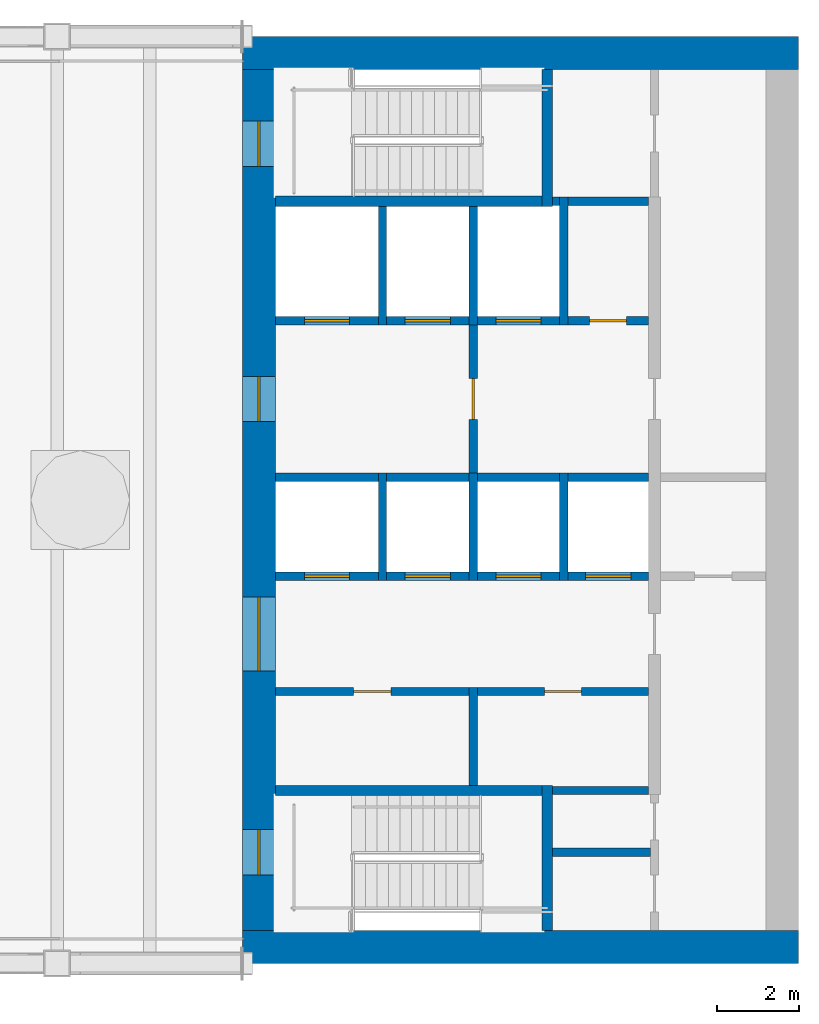
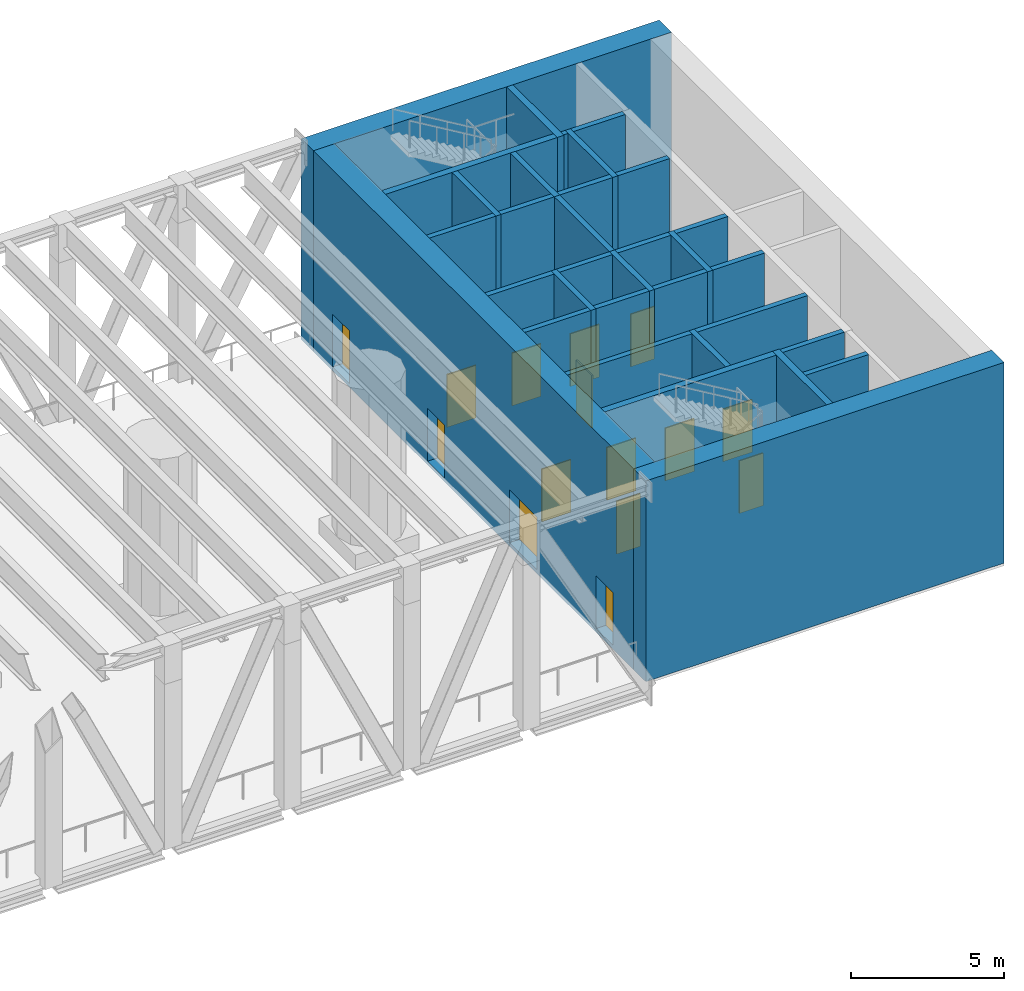
# One storey, part 4 of 11: 33 walls, 15 doors, 15 openings.
"""IFC4 building model written with IfcOpenShell, lengths in metres."""

import ifcopenshell
import ifcopenshell.guid

model = None  # the IFC model being written
_history = None  # IfcOwnerHistory: only IFC2X3 demands one
_inside = {}  # id of a spatial element -> (the spatial element, [elements in it])
_under = {}  # id of a project, library or spatial element -> (it, [spatial elements below it])
_declared = {}  # id of a project -> (the project, [libraries it declares])
_typed = {}  # id of a type object -> (the type object, [elements of that type])
_made_of = {}  # id of a material, layer set ... -> (it, [elements and type objects made of it])


def new_model(schema):
    """Start an empty IFC model of exactly this schema.

    Asked for "IFC4X3", IfcOpenShell would pick the latest addendum, in which some entities
    have other attributes; the version numbers below select the first issue.
    IFC2X3 requires an IfcOwnerHistory on every rooted entity: one is made here for all.
    """
    global model, _history
    if schema == "IFC4X3":
        model = ifcopenshell.file(schema_version=(4, 3, 0, 0))
    else:
        model = ifcopenshell.file(schema=schema)
    _inside.clear()
    _under.clear()
    _declared.clear()
    _typed.clear()
    _made_of.clear()
    _history = None
    if model.schema == "IFC2X3":
        org = make("IfcOrganization", Name="unknown")
        user = make(
            "IfcPersonAndOrganization",
            ThePerson=make("IfcPerson", FamilyName="unknown"),
            TheOrganization=org,
        )
        app = make(
            "IfcApplication",
            ApplicationDeveloper=org,
            Version="unknown",
            ApplicationFullName="unknown",
            ApplicationIdentifier="unknown",
        )
        _history = make(
            "IfcOwnerHistory",
            OwningUser=user,
            OwningApplication=app,
            ChangeAction="ADDED",
            CreationDate=0,
        )
    return model


def make(cls, **values):
    """One entity of the class cls with the attributes given. An attribute that is None is left unset."""
    return model.create_entity(
        cls, **{name: value for name, value in values.items() if value is not None}
    )


def rooted(cls, **values):
    """An entity with a GlobalId (a new one), such as an element, a storey or a relation."""
    return make(cls, GlobalId=ifcopenshell.guid.new(), OwnerHistory=_history, **values)


def si_unit(unit_type, name, prefix=None):
    """IfcSIUnit, for example si_unit("LENGTHUNIT", "METRE", prefix="MILLI")."""
    return make("IfcSIUnit", UnitType=unit_type, Prefix=prefix, Name=name)


def assignment(units):
    """IfcUnitAssignment: the units of a project."""
    return None if units is None else make("IfcUnitAssignment", Units=units)


def point(xyz):
    """IfcCartesianPoint."""
    return None if xyz is None else make("IfcCartesianPoint", Coordinates=xyz)


def direction(xyz):
    """IfcDirection."""
    return None if xyz is None else make("IfcDirection", DirectionRatios=xyz)


def frame(location, z_axis=None, x_axis=None):
    """IfcAxis2Placement3D, a coordinate frame: its origin and axes. An axis left out is left unset."""
    return make(
        "IfcAxis2Placement3D",
        Location=point(location),
        Axis=direction(z_axis),
        RefDirection=direction(x_axis),
    )


def frame_2d(location, x_axis=None):
    """IfcAxis2Placement2D, a coordinate frame in the plane: its origin and x axis."""
    return make(
        "IfcAxis2Placement2D", Location=point(location), RefDirection=direction(x_axis)
    )


def origin():
    """The frame at (0, 0, 0) with its axes left unset."""
    return frame((0.0, 0.0, 0.0))


def place(relative_to, where):
    """IfcLocalPlacement: puts the frame where relative to a parent placement (None: the world)."""
    return make(
        "IfcLocalPlacement", PlacementRelTo=relative_to, RelativePlacement=where
    )


def context(
    kind, dimensions, precision=None, world=None, true_north=None, identifier=None
):
    """IfcGeometricRepresentationContext, for example the 3D "Model" context."""
    return make(
        "IfcGeometricRepresentationContext",
        ContextIdentifier=identifier,
        ContextType=kind,
        CoordinateSpaceDimension=dimensions,
        Precision=precision,
        WorldCoordinateSystem=world,
        TrueNorth=true_north,
    )


def subcontext(parent, identifier, kind, view, scale=None):
    """IfcGeometricRepresentationSubContext, for example "Body" below "Model"."""
    return make(
        "IfcGeometricRepresentationSubContext",
        ContextIdentifier=identifier,
        ContextType=kind,
        ParentContext=parent,
        TargetScale=scale,
        TargetView=view,
    )


def project(units=None, contexts=None):
    """IfcProject with its units and contexts."""
    return rooted(
        "IfcProject",
        Name="project",
        RepresentationContexts=contexts,
        UnitsInContext=assignment(units),
    )


def spatial(cls, under=None, at=None, **own):
    """A site, building, storey or space (cls), placed at a placement, below another one or the project."""
    s = rooted(cls, ObjectPlacement=at, **own)
    if under is not None:
        _under.setdefault(under.id(), (under, []))[1].append(s)
    return s


def profile(cls, at=None, kind="AREA", **sizes):
    """A parametric profile (cls). Its sizes go by their IFC names, for example OverallWidth=200.0."""
    return make(cls, ProfileType=kind, Position=at, **sizes)


def rectangle(**sizes):
    """IfcRectangleProfileDef."""
    return profile("IfcRectangleProfileDef", **sizes)


def extrude(swept, where, along, depth):
    """IfcExtrudedAreaSolid: the profile swept, set in the frame where, extruded along a direction by depth."""
    return make(
        "IfcExtrudedAreaSolid",
        SweptArea=swept,
        Position=where,
        ExtrudedDirection=direction(along),
        Depth=depth,
    )


def shape(context_of_items, identifier, shape_type, items):
    """IfcShapeRepresentation: the items that make up one representation, for example the "Body"."""
    return make(
        "IfcShapeRepresentation",
        ContextOfItems=context_of_items,
        RepresentationIdentifier=identifier,
        RepresentationType=shape_type,
        Items=items,
    )


def material(Name=None, Category=None):
    """IfcMaterial."""
    return make("IfcMaterial", Name=Name, Category=Category)


def layer(
    of_material, thickness, ventilated=None, Name=None, Category=None, Priority=None
):
    """IfcMaterialLayer: one layer of a wall or slab, of a material (None: an air gap)."""
    return make(
        "IfcMaterialLayer",
        Material=of_material,
        LayerThickness=thickness,
        IsVentilated=ventilated,
        Name=Name,
        Category=Category,
        Priority=Priority,
    )


def layer_set(layers, Name=None):
    """IfcMaterialLayerSet."""
    return make("IfcMaterialLayerSet", MaterialLayers=layers, LayerSetName=Name)


def made_of(thing, what):
    """Note that an element or type object is made of a material, layer set ...; save() writes the relation."""
    if what is not None:
        _made_of.setdefault(what.id(), (what, []))[1].append(thing)
    return thing


def type_object(cls, material=None, **own):
    """A type object (cls), such as IfcWallType, which elements share."""
    return made_of(rooted(cls, **own), material)


def element(
    cls,
    number,
    at=None,
    inside=None,
    cuts=None,
    type_object=None,
    material=None,
    context=None,
    identifier="Body",
    shape_type=None,
    held_by="IfcProductDefinitionShape",
    body=None,
    shapes=None,
    **own,
):
    """One element of the class cls, such as IfcWall. Its Tag is "e" and its number.

    at: its placement. inside: the storey or other place that contains it. cuts: it is an
    opening in that element (IfcRelVoidsElement). A single representation is given by context,
    identifier, shape_type and body (its items); several are given by shapes. held_by: the class
    of the entity that holds the representations. save() writes the other relations.
    """
    e = rooted(cls, Tag="e%d" % number, ObjectPlacement=at, **own)
    if body is not None:
        shapes = [shape(context, identifier, shape_type, body)]
    if shapes is not None:
        e.Representation = make(held_by, Representations=shapes)
    if inside is not None:
        _inside.setdefault(inside.id(), (inside, []))[1].append(e)
    if cuts is not None:
        rooted(
            "IfcRelVoidsElement", RelatingBuildingElement=cuts, RelatedOpeningElement=e
        )
    if type_object is not None:
        _typed.setdefault(type_object.id(), (type_object, []))[1].append(e)
    return made_of(e, material)


def fill(opening, filler):
    """IfcRelFillsElement: the door or window that sits in an opening."""
    return rooted(
        "IfcRelFillsElement",
        RelatingOpeningElement=opening,
        RelatedBuildingElement=filler,
    )


def aggregate(whole, parts):
    """IfcRelAggregates: a whole, such as a stair, and the parts it consists of."""
    return rooted("IfcRelAggregates", RelatingObject=whole, RelatedObjects=parts)


def save(model, path):
    """Write the relations noted so far, then the file.

    IfcRelAggregates (storeys below a building ...), IfcRelContainedInSpatialStructure (elements
    in a storey), IfcRelDefinesByType, IfcRelAssociatesMaterial and IfcRelDeclares: one each for
    every whole, place, type object, material and project.
    """
    for whole, parts in _under.values():
        aggregate(whole, parts)
    for where, things in _inside.values():
        rooted(
            "IfcRelContainedInSpatialStructure",
            RelatedElements=things,
            RelatingStructure=where,
        )
    for kind, things in _typed.values():
        rooted("IfcRelDefinesByType", RelatedObjects=things, RelatingType=kind)
    for what, things in _made_of.values():
        rooted("IfcRelAssociatesMaterial", RelatedObjects=things, RelatingMaterial=what)
    for by, libraries in _declared.values():
        rooted("IfcRelDeclares", RelatingContext=by, RelatedDefinitions=libraries)
    model.write(path)


model = new_model("IFC4")

# Units and contexts
model_context = context("Model", 3, precision=1e-05, world=origin(), true_north=direction((0.0, 1.0)))
body_context = subcontext(model_context, "Body", "Model", "MODEL_VIEW")
ifc_project = project(units=[si_unit("LENGTHUNIT", "METRE"), si_unit("AREAUNIT", "SQUARE_METRE"), si_unit("VOLUMEUNIT", "CUBIC_METRE"), si_unit("PLANEANGLEUNIT", "RADIAN"), si_unit("MASSUNIT", "GRAM", prefix="KILO")], contexts=[model_context])

# Site, building, storey
site_placement = place(None, origin())
site = spatial("IfcSite", under=ifc_project, at=site_placement, CompositionType="ELEMENT")
building_placement = place(site_placement, origin())
building = spatial("IfcBuilding", under=site, at=building_placement, Name="Sennacour Bend Tower", CompositionType="ELEMENT")
storey_placement = place(building_placement, frame((0.0, 0.0, 297.0)))
storey = spatial("IfcBuildingStorey", under=building, at=storey_placement, Name="L69", CompositionType="ELEMENT", Elevation=297.0)

# Walls
ifc_material_1 = material(Name="Concrete C50/60", Category="concrete")
ifc_layer_1 = layer(ifc_material_1, 0.800048828125, Name="Concrete C50/60", Category="concrete")
ifc_layer_set_1 = layer_set([ifc_layer_1], Name="Concrete C50/60")
wall_type_1 = type_object("IfcWallType", Name="Core wall 800 C50/60", PredefinedType="SHEAR", material=ifc_layer_set_1)
for number, where, z_axis, x_axis, name in (
    (1, (67.5, 0.39990234375, -0.14990234375), (0.0, 0.0, 1.0), (-1.0, 0.0, 0.0), "Core A wall L69 S"),
    (2, (54.0, 22.10009765625, -0.14990234375), (0.0, 0.0, 1.0), (1.0, 0.0, 0.0), "Core A wall L69 N"),
):
    element("IfcWall", number, at=place(storey_placement, frame(where, z_axis=z_axis, x_axis=x_axis)), inside=storey, type_object=wall_type_1, Name=name, PredefinedType="SHEAR", context=body_context, shape_type="SweptSolid", body=[
        extrude(rectangle(XDim=13.5, YDim=0.800048828125, at=frame_2d((6.75, 0.0))), origin(), (0.0, 0.0, 1.0), 8.0),
    ])

# Wall, openings, doors
wall_1_placement = place(storey_placement, frame((54.39990234375, 0.800048828125, -0.14990234375), z_axis=(0.0, 0.0, 1.0), x_axis=(0.0, 1.0, 0.0)))
wall_1 = element("IfcWall", 3, at=wall_1_placement, inside=storey, type_object=wall_type_1, Name="Core A wall L69 W", PredefinedType="SHEAR", context=body_context, shape_type="SweptSolid", body=[
    extrude(rectangle(XDim=20.89990234375, YDim=0.800048828125, at=frame_2d((10.449951171875, 0.0))), origin(), (0.0, 0.0, 1.0), 8.0),
])
opening_1_placement = place(wall_1_placement, frame((6.300048828125, 0.0, 0.14990234375)))
opening_1 = element("IfcOpeningElement", 4, at=opening_1_placement, cuts=wall_1, Name="Opening CD", PredefinedType="OPENING", context=body_context, shape_type="SweptSolid", body=[
    extrude(rectangle(XDim=1.800048828125, YDim=2.10009765625, at=frame_2d((0.89990234375, 1.050048828125))), frame((0.0, 0.41015625, 0.0), z_axis=(0.0, -1.0, 0.0), x_axis=(1.0, 0.0, 0.0)), (0.0, 0.0, 1.0), 0.820068359375),
])
opening_2_placement = place(wall_1_placement, frame((12.35009765625, 0.0, 0.14990234375)))
opening_2 = element("IfcOpeningElement", 5, at=opening_2_placement, cuts=wall_1, Name="Opening FD", PredefinedType="OPENING", context=body_context, shape_type="SweptSolid", body=[
    extrude(rectangle(XDim=1.10009765625, YDim=2.10009765625, at=frame_2d((0.550048828125, 1.050048828125))), frame((0.0, 0.41015625, 0.0), z_axis=(0.0, -1.0, 0.0), x_axis=(1.0, 0.0, 0.0)), (0.0, 0.0, 1.0), 0.820068359375),
])
opening_3_placement = place(wall_1_placement, frame((1.35009765625, 0.0, 0.14990234375)))
opening_3 = element("IfcOpeningElement", 6, at=opening_3_placement, cuts=wall_1, Name="Opening SD", PredefinedType="OPENING", context=body_context, shape_type="SweptSolid", body=[
    extrude(rectangle(XDim=1.10009765625, YDim=2.10009765625, at=frame_2d((0.550048828125, 1.050048828125))), frame((0.0, 0.41015625, 0.0), z_axis=(0.0, -1.0, 0.0), x_axis=(1.0, 0.0, 0.0)), (0.0, 0.0, 1.0), 0.820068359375),
])
opening_4_placement = place(wall_1_placement, frame((18.550048828125, 0.0, 0.14990234375)))
opening_4 = element("IfcOpeningElement", 7, at=opening_4_placement, cuts=wall_1, Name="Opening SD", PredefinedType="OPENING", context=body_context, shape_type="SweptSolid", body=[
    extrude(rectangle(XDim=1.10009765625, YDim=2.10009765625, at=frame_2d((0.550048828125, 1.050048828125))), frame((0.0, 0.41015625, 0.0), z_axis=(0.0, -1.0, 0.0), x_axis=(1.0, 0.0, 0.0)), (0.0, 0.0, 1.0), 0.820068359375),
])
ifc_material_2 = material(Name="Painted steel", Category="steel")
door_type_1 = type_object("IfcDoorType", Name="DR-FFL-1100", OperationType="NOTDEFINED", PredefinedType="DOOR", material=ifc_material_2)
door_1_placement = place(opening_2_placement, origin())
door_1 = element("IfcDoor", 8, at=door_1_placement, inside=storey, type_object=door_type_1, Name="Door", OperationType="SINGLE_SWING_RIGHT", OverallHeight=2.10009765625, OverallWidth=1.10009765625, PredefinedType="DOOR", context=body_context, shape_type="SweptSolid", body=[
    extrude(rectangle(XDim=1.10009765625, YDim=2.10009765625, at=frame_2d((0.550048828125, 1.050048828125))), frame((0.0, 0.02490234375, 0.0), z_axis=(0.0, -1.0, 0.0), x_axis=(1.0, 0.0, 0.0)), (0.0, 0.0, 1.0), 0.050048828125),
])
fill(opening_2, door_1)
door_type_2 = type_object("IfcDoorType", Name="DR-LOBBY-1800", OperationType="NOTDEFINED", PredefinedType="DOOR", material=ifc_material_2)
door_2_placement = place(opening_1_placement, origin())
door_2 = element("IfcDoor", 9, at=door_2_placement, inside=storey, type_object=door_type_2, Name="Door", OperationType="DOUBLE_DOOR_SINGLE_SWING", OverallHeight=2.10009765625, OverallWidth=1.800048828125, PredefinedType="DOOR", context=body_context, shape_type="SweptSolid", body=[
    extrude(rectangle(XDim=1.800048828125, YDim=2.10009765625, at=frame_2d((0.89990234375, 1.050048828125))), frame((0.0, 0.02490234375, 0.0), z_axis=(0.0, -1.0, 0.0), x_axis=(1.0, 0.0, 0.0)), (0.0, 0.0, 1.0), 0.050048828125),
])
fill(opening_1, door_2)
door_type_3 = type_object("IfcDoorType", Name="DR-STAIR-1100", OperationType="NOTDEFINED", PredefinedType="DOOR", material=ifc_material_2)
door_3_placement = place(opening_3_placement, origin())
door_3 = element("IfcDoor", 10, at=door_3_placement, inside=storey, type_object=door_type_3, Name="Door", OperationType="SINGLE_SWING_LEFT", OverallHeight=2.10009765625, OverallWidth=1.10009765625, PredefinedType="DOOR", context=body_context, shape_type="SweptSolid", body=[
    extrude(rectangle(XDim=1.10009765625, YDim=2.10009765625, at=frame_2d((0.550048828125, 1.050048828125))), frame((0.0, 0.02490234375, 0.0), z_axis=(0.0, -1.0, 0.0), x_axis=(1.0, 0.0, 0.0)), (0.0, 0.0, 1.0), 0.050048828125),
])
fill(opening_3, door_3)
door_4_placement = place(opening_4_placement, origin())
door_4 = element("IfcDoor", 11, at=door_4_placement, inside=storey, type_object=door_type_3, Name="Door", OperationType="SINGLE_SWING_RIGHT", OverallHeight=2.10009765625, OverallWidth=1.10009765625, PredefinedType="DOOR", context=body_context, shape_type="SweptSolid", body=[
    extrude(rectangle(XDim=1.10009765625, YDim=2.10009765625, at=frame_2d((0.550048828125, 1.050048828125))), frame((0.0, 0.02490234375, 0.0), z_axis=(0.0, -1.0, 0.0), x_axis=(1.0, 0.0, 0.0)), (0.0, 0.0, 1.0), 0.050048828125),
])
fill(opening_4, door_4)

# Walls
ifc_material_3 = material(Name="Fire-rated plasterboard partition on steel studs", Category="steel")
ifc_layer_2 = layer(ifc_material_3, 0.199951171875, Name="Fire-rated plasterboard partition on steel studs", Category="steel")
ifc_layer_set_2 = layer_set([ifc_layer_2], Name="Fire-rated plasterboard partition on steel studs")
wall_type_2 = type_object("IfcWallType", Name="Rated partition 200", PredefinedType="PARTITIONING", material=ifc_layer_set_2)
for number, where, z_axis, x_axis, name in (
    (12, (59.60009765625, 4.324951171875, 0.0), (0.0, 0.0, 1.0), (0.0, 1.0, 0.0), "P-L69-W011"),
    (13, (61.52490234375, 2.699951171875, 0.0), (0.0, 0.0, 1.0), (1.0, 0.0, 0.0), "P-L69-W024"),
):
    element("IfcWall", number, at=place(storey_placement, frame(where, z_axis=z_axis, x_axis=x_axis)), inside=storey, type_object=wall_type_2, Name=name, PredefinedType="PARTITIONING", context=body_context, shape_type="SweptSolid", body=[
        extrude(rectangle(XDim=2.375, YDim=0.199951171875, at=frame_2d((1.1875, 0.0))), origin(), (0.0, 0.0, 1.0), 7.85009765625),
    ])
wall_2_placement = place(storey_placement, frame((61.52490234375, 4.199951171875, 0.0), z_axis=(0.0, 0.0, 1.0), x_axis=(1.0, 0.0, 0.0)))
element("IfcWall", 14, at=wall_2_placement, inside=storey, type_object=wall_type_2, Name="P-L69-W028", PredefinedType="PARTITIONING", context=body_context, shape_type="SweptSolid", body=[
    extrude(rectangle(XDim=2.3251953125, YDim=0.199951171875, at=frame_2d((1.16259765625, 0.0))), origin(), (0.0, 0.0, 1.0), 7.85009765625),
])

# Wall, opening, door
wall_3_placement = place(storey_placement, frame((54.800048828125, 6.60009765625, 0.0), z_axis=(0.0, 0.0, 1.0), x_axis=(1.0, 0.0, 0.0)))
wall_3 = element("IfcWall", 15, at=wall_3_placement, inside=storey, type_object=wall_type_2, Name="P-L69-W029a", PredefinedType="PARTITIONING", context=body_context, shape_type="SweptSolid", body=[
    extrude(rectangle(XDim=4.699951171875, YDim=0.199951171875, at=frame_2d((2.35009765625, 0.0))), origin(), (0.0, 0.0, 1.0), 7.85009765625),
])
opening_5_placement = place(wall_3_placement, frame((1.89990234375, 0.0, 0.0)))
opening_5 = element("IfcOpeningElement", 16, at=opening_5_placement, cuts=wall_3, Name="Opening SV", PredefinedType="OPENING", context=body_context, shape_type="SweptSolid", body=[
    extrude(rectangle(XDim=0.89990234375, YDim=2.10009765625, at=frame_2d((0.449951171875, 1.050048828125))), frame((0.0, 0.10986328125, 0.0), z_axis=(0.0, -1.0, 0.0), x_axis=(1.0, 0.0, 0.0)), (0.0, 0.0, 1.0), 0.219970703125),
])
door_type_4 = type_object("IfcDoorType", Name="DR-SERVICE-900", OperationType="NOTDEFINED", PredefinedType="DOOR", material=ifc_material_2)
door_5_placement = place(opening_5_placement, origin())
door_5 = element("IfcDoor", 17, at=door_5_placement, inside=storey, type_object=door_type_4, Name="Door", OperationType="SINGLE_SWING_LEFT", OverallHeight=2.10009765625, OverallWidth=0.89990234375, PredefinedType="DOOR", context=body_context, shape_type="SweptSolid", body=[
    extrude(rectangle(XDim=0.89990234375, YDim=2.10009765625, at=frame_2d((0.449951171875, 1.050048828125))), frame((0.0, 0.02490234375, 0.0), z_axis=(0.0, -1.0, 0.0), x_axis=(1.0, 0.0, 0.0)), (0.0, 0.0, 1.0), 0.050048828125),
])
fill(opening_5, door_5)

wall_4_placement = place(storey_placement, frame((59.699951171875, 6.60009765625, 0.0), z_axis=(0.0, 0.0, 1.0), x_axis=(1.0, 0.0, 0.0)))
wall_4 = element("IfcWall", 18, at=wall_4_placement, inside=storey, type_object=wall_type_2, Name="P-L69-W029b", PredefinedType="PARTITIONING", context=body_context, shape_type="SweptSolid", body=[
    extrude(rectangle(XDim=4.150146484375, YDim=0.199951171875, at=frame_2d((2.0751953125, 0.0))), origin(), (0.0, 0.0, 1.0), 7.85009765625),
])
opening_6_placement = place(wall_4_placement, frame((1.625, 0.0, 0.0)))
opening_6 = element("IfcOpeningElement", 19, at=opening_6_placement, cuts=wall_4, Name="Opening SV", PredefinedType="OPENING", context=body_context, shape_type="SweptSolid", body=[
    extrude(rectangle(XDim=0.89990234375, YDim=2.10009765625, at=frame_2d((0.449951171875, 1.050048828125))), frame((0.0, 0.10986328125, 0.0), z_axis=(0.0, -1.0, 0.0), x_axis=(1.0, 0.0, 0.0)), (0.0, 0.0, 1.0), 0.219970703125),
])
door_6_placement = place(opening_6_placement, origin())
door_6 = element("IfcDoor", 20, at=door_6_placement, inside=storey, type_object=door_type_4, Name="Door", OperationType="SINGLE_SWING_LEFT", OverallHeight=2.10009765625, OverallWidth=0.89990234375, PredefinedType="DOOR", context=body_context, shape_type="SweptSolid", body=[
    extrude(rectangle(XDim=0.89990234375, YDim=2.10009765625, at=frame_2d((0.449951171875, 1.050048828125))), frame((0.0, 0.02490234375, 0.0), z_axis=(0.0, -1.0, 0.0), x_axis=(1.0, 0.0, 0.0)), (0.0, 0.0, 1.0), 0.050048828125),
])
fill(opening_6, door_6)

wall_5_placement = place(storey_placement, frame((61.89990234375, 15.60009765625, 0.0), z_axis=(0.0, 0.0, 1.0), x_axis=(1.0, 0.0, 0.0)))
wall_5 = element("IfcWall", 21, at=wall_5_placement, inside=storey, type_object=wall_type_2, Name="P-L69-W037", PredefinedType="PARTITIONING", context=body_context, shape_type="SweptSolid", body=[
    extrude(rectangle(XDim=1.9501953125, YDim=0.199951171875, at=frame_2d((0.97509765625, 0.0))), origin(), (0.0, 0.0, 1.0), 7.85009765625),
])
opening_7_placement = place(wall_5_placement, frame((0.525146484375, 0.0, 0.0)))
opening_7 = element("IfcOpeningElement", 22, at=opening_7_placement, cuts=wall_5, Name="Opening SV", PredefinedType="OPENING", context=body_context, shape_type="SweptSolid", body=[
    extrude(rectangle(XDim=0.89990234375, YDim=2.10009765625, at=frame_2d((0.449951171875, 1.050048828125))), frame((0.0, 0.10986328125, 0.0), z_axis=(0.0, -1.0, 0.0), x_axis=(1.0, 0.0, 0.0)), (0.0, 0.0, 1.0), 0.219970703125),
])
door_7_placement = place(opening_7_placement, origin())
door_7 = element("IfcDoor", 23, at=door_7_placement, inside=storey, type_object=door_type_4, Name="Door", OperationType="SINGLE_SWING_LEFT", OverallHeight=2.10009765625, OverallWidth=0.89990234375, PredefinedType="DOOR", context=body_context, shape_type="SweptSolid", body=[
    extrude(rectangle(XDim=0.89990234375, YDim=2.10009765625, at=frame_2d((0.449951171875, 1.050048828125))), frame((0.0, 0.02490234375, 0.0), z_axis=(0.0, -1.0, 0.0), x_axis=(1.0, 0.0, 0.0)), (0.0, 0.0, 1.0), 0.050048828125),
])
fill(opening_7, door_7)

# Wall
wall_6_placement = place(storey_placement, frame((61.89990234375, 18.5, 0.0), z_axis=(0.0, 0.0, 1.0), x_axis=(1.0, 0.0, 0.0)))
element("IfcWall", 24, at=wall_6_placement, inside=storey, type_object=wall_type_2, Name="P-L69-W040", PredefinedType="PARTITIONING", context=body_context, shape_type="SweptSolid", body=[
    extrude(rectangle(XDim=1.9501953125, YDim=0.199951171875, at=frame_2d((0.97509765625, 0.0))), origin(), (0.0, 0.0, 1.0), 7.85009765625),
])

# Wall, opening, door
ifc_layer_3 = layer(ifc_material_3, 0.199951171875, Name="Fire-rated plasterboard partition on steel studs", Category="steel")
ifc_layer_set_3 = layer_set([ifc_layer_3], Name="Fire-rated plasterboard partition on steel studs")
wall_type_3 = type_object("IfcWallType", Name="Rated partition 200 EI 90", PredefinedType="PARTITIONING", material=ifc_layer_set_3)
wall_7_placement = place(storey_placement, frame((59.60009765625, 11.89990234375, 0.0), z_axis=(0.0, 0.0, 1.0), x_axis=(0.0, 1.0, 0.0)))
wall_7 = element("IfcWall", 25, at=wall_7_placement, inside=storey, type_object=wall_type_3, Name="P-L69-W013", PredefinedType="PARTITIONING", context=body_context, shape_type="SweptSolid", body=[
    extrude(rectangle(XDim=3.60009765625, YDim=0.199951171875, at=frame_2d((1.800048828125, 0.0))), origin(), (0.0, 0.0, 1.0), 7.85009765625),
])
opening_8_placement = place(wall_7_placement, frame((1.300048828125, 0.0, 0.0)))
opening_8 = element("IfcOpeningElement", 26, at=opening_8_placement, cuts=wall_7, Name="Opening FD2", PredefinedType="OPENING", context=body_context, shape_type="SweptSolid", body=[
    extrude(rectangle(XDim=1.0, YDim=2.10009765625, at=frame_2d((0.5, 1.050048828125))), frame((0.0, 0.10986328125, 0.0), z_axis=(0.0, -1.0, 0.0), x_axis=(1.0, 0.0, 0.0)), (0.0, 0.0, 1.0), 0.219970703125),
])
door_type_5 = type_object("IfcDoorType", Name="DR-FFL-1000", OperationType="NOTDEFINED", PredefinedType="DOOR", material=ifc_material_2)
door_8_placement = place(opening_8_placement, origin())
door_8 = element("IfcDoor", 27, at=door_8_placement, inside=storey, type_object=door_type_5, Name="Door", OperationType="SINGLE_SWING_LEFT", OverallHeight=2.10009765625, OverallWidth=1.0, PredefinedType="DOOR", context=body_context, shape_type="SweptSolid", body=[
    extrude(rectangle(XDim=1.0, YDim=2.10009765625, at=frame_2d((0.5, 1.050048828125))), frame((0.0, 0.02490234375, 0.0), z_axis=(0.0, -1.0, 0.0), x_axis=(1.0, 0.0, 0.0)), (0.0, 0.0, 1.0), 0.050048828125),
])
fill(opening_8, door_8)

# Walls
ifc_layer_4 = layer(ifc_material_1, 0.199951171875, Name="Concrete C50/60", Category="concrete")
ifc_layer_set_4 = layer_set([ifc_layer_4], Name="Concrete C50/60")
wall_type_4 = type_object("IfcWallType", Name="Shaft wall 200", PredefinedType="SOLIDWALL", material=ifc_layer_set_4)
wall_8_placement = place(storey_placement, frame((57.39990234375, 9.300048828125, 0.0), z_axis=(0.0, 0.0, 1.0), x_axis=(0.0, 1.0, 0.0)))
element("IfcWall", 28, at=wall_8_placement, inside=storey, type_object=wall_type_4, Name="P-L69-W009", PredefinedType="SOLIDWALL", context=body_context, shape_type="SweptSolid", body=[
    extrude(rectangle(XDim=2.599853515625, YDim=0.199951171875, at=frame_2d((1.2998046875, 0.0))), origin(), (0.0, 0.0, 1.0), 7.85009765625),
])
wall_9_placement = place(storey_placement, frame((57.39990234375, 15.5, 0.0), z_axis=(0.0, 0.0, 1.0), x_axis=(0.0, 1.0, 0.0)))
element("IfcWall", 29, at=wall_9_placement, inside=storey, type_object=wall_type_4, Name="P-L69-W010", PredefinedType="SOLIDWALL", context=body_context, shape_type="SweptSolid", body=[
    extrude(rectangle(XDim=2.875, YDim=0.199951171875, at=frame_2d((1.4375, 0.0))), origin(), (0.0, 0.0, 1.0), 7.85009765625),
])
wall_10_placement = place(storey_placement, frame((59.60009765625, 9.300048828125, 0.0), z_axis=(0.0, 0.0, 1.0), x_axis=(0.0, 1.0, 0.0)))
element("IfcWall", 30, at=wall_10_placement, inside=storey, type_object=wall_type_4, Name="P-L69-W012", PredefinedType="SOLIDWALL", context=body_context, shape_type="SweptSolid", body=[
    extrude(rectangle(XDim=2.599853515625, YDim=0.199951171875, at=frame_2d((1.2998046875, 0.0))), origin(), (0.0, 0.0, 1.0), 7.85009765625),
])
wall_11_placement = place(storey_placement, frame((59.60009765625, 15.5, 0.0), z_axis=(0.0, 0.0, 1.0), x_axis=(0.0, 1.0, 0.0)))
element("IfcWall", 31, at=wall_11_placement, inside=storey, type_object=wall_type_4, Name="P-L69-W014", PredefinedType="SOLIDWALL", context=body_context, shape_type="SweptSolid", body=[
    extrude(rectangle(XDim=2.875, YDim=0.199951171875, at=frame_2d((1.4375, 0.0))), origin(), (0.0, 0.0, 1.0), 7.85009765625),
])
wall_12_placement = place(storey_placement, frame((61.800048828125, 9.300048828125, 0.0), z_axis=(0.0, 0.0, 1.0), x_axis=(0.0, 1.0, 0.0)))
element("IfcWall", 32, at=wall_12_placement, inside=storey, type_object=wall_type_4, Name="P-L69-W017", PredefinedType="SOLIDWALL", context=body_context, shape_type="SweptSolid", body=[
    extrude(rectangle(XDim=2.599853515625, YDim=0.199951171875, at=frame_2d((1.2998046875, 0.0))), origin(), (0.0, 0.0, 1.0), 7.85009765625),
])
wall_13_placement = place(storey_placement, frame((61.800048828125, 15.5, 0.0), z_axis=(0.0, 0.0, 1.0), x_axis=(0.0, 1.0, 0.0)))
element("IfcWall", 33, at=wall_13_placement, inside=storey, type_object=wall_type_4, Name="P-L69-W018", PredefinedType="SOLIDWALL", context=body_context, shape_type="SweptSolid", body=[
    extrude(rectangle(XDim=3.10009765625, YDim=0.199951171875, at=frame_2d((1.550048828125, 0.0))), origin(), (0.0, 0.0, 1.0), 7.85009765625),
])

# Wall, opening, door
wall_14_placement = place(storey_placement, frame((54.800048828125, 9.39990234375, 0.0), z_axis=(0.0, 0.0, 1.0), x_axis=(1.0, 0.0, 0.0)))
wall_14 = element("IfcWall", 34, at=wall_14_placement, inside=storey, type_object=wall_type_4, Name="P-L69-W031a", PredefinedType="SOLIDWALL", context=body_context, shape_type="SweptSolid", body=[
    extrude(rectangle(XDim=2.5, YDim=0.199951171875, at=frame_2d((1.25, 0.0))), origin(), (0.0, 0.0, 1.0), 7.85009765625),
])
opening_9_placement = place(wall_14_placement, frame((0.699951171875, 0.0, 0.011962890625)))
opening_9 = element("IfcOpeningElement", 35, at=opening_9_placement, cuts=wall_14, Name="Opening LD", PredefinedType="OPENING", context=body_context, shape_type="SweptSolid", body=[
    extrude(rectangle(XDim=1.10009765625, YDim=2.10009765625, at=frame_2d((0.550048828125, 1.050048828125))), frame((0.0, 0.10986328125, 0.0), z_axis=(0.0, -1.0, 0.0), x_axis=(1.0, 0.0, 0.0)), (0.0, 0.0, 1.0), 0.219970703125),
])
ifc_material_4 = material(Name="Stainless steel", Category="steel")
door_type_6 = type_object("IfcDoorType", Name="DR-LANDING-1100", OperationType="NOTDEFINED", PredefinedType="DOOR", material=ifc_material_4)
door_9_placement = place(opening_9_placement, origin())
door_9 = element("IfcDoor", 36, at=door_9_placement, inside=storey, type_object=door_type_6, Name="Lift landing door HA1", OperationType="SLIDING_TO_LEFT", OverallHeight=2.10009765625, OverallWidth=1.10009765625, PredefinedType="DOOR", context=body_context, shape_type="SweptSolid", body=[
    extrude(rectangle(XDim=1.10009765625, YDim=2.10009765625, at=frame_2d((0.550048828125, 1.050048828125))), frame((0.0, 0.02490234375, 0.0), z_axis=(0.0, -1.0, 0.0), x_axis=(1.0, 0.0, 0.0)), (0.0, 0.0, 1.0), 0.050048828125),
])
fill(opening_9, door_9)

wall_15_placement = place(storey_placement, frame((57.5, 9.39990234375, 0.0), z_axis=(0.0, 0.0, 1.0), x_axis=(1.0, 0.0, 0.0)))
wall_15 = element("IfcWall", 37, at=wall_15_placement, inside=storey, type_object=wall_type_4, Name="P-L69-W031b", PredefinedType="SOLIDWALL", context=body_context, shape_type="SweptSolid", body=[
    extrude(rectangle(XDim=2.0, YDim=0.199951171875, at=frame_2d((1.0, 0.0))), origin(), (0.0, 0.0, 1.0), 7.85009765625),
])
opening_10_placement = place(wall_15_placement, frame((0.449951171875, 0.0, 0.011962890625)))
opening_10 = element("IfcOpeningElement", 38, at=opening_10_placement, cuts=wall_15, Name="Opening LD", PredefinedType="OPENING", context=body_context, shape_type="SweptSolid", body=[
    extrude(rectangle(XDim=1.10009765625, YDim=2.10009765625, at=frame_2d((0.550048828125, 1.050048828125))), frame((0.0, 0.10986328125, 0.0), z_axis=(0.0, -1.0, 0.0), x_axis=(1.0, 0.0, 0.0)), (0.0, 0.0, 1.0), 0.219970703125),
])
door_10_placement = place(opening_10_placement, origin())
door_10 = element("IfcDoor", 39, at=door_10_placement, inside=storey, type_object=door_type_6, Name="Lift landing door HA2", OperationType="SLIDING_TO_RIGHT", OverallHeight=2.10009765625, OverallWidth=1.10009765625, PredefinedType="DOOR", context=body_context, shape_type="SweptSolid", body=[
    extrude(rectangle(XDim=1.10009765625, YDim=2.10009765625, at=frame_2d((0.550048828125, 1.050048828125))), frame((0.0, 0.02490234375, 0.0), z_axis=(0.0, -1.0, 0.0), x_axis=(1.0, 0.0, 0.0)), (0.0, 0.0, 1.0), 0.050048828125),
])
fill(opening_10, door_10)

wall_16_placement = place(storey_placement, frame((59.699951171875, 9.39990234375, 0.0), z_axis=(0.0, 0.0, 1.0), x_axis=(1.0, 0.0, 0.0)))
wall_16 = element("IfcWall", 40, at=wall_16_placement, inside=storey, type_object=wall_type_4, Name="P-L69-W031c", PredefinedType="SOLIDWALL", context=body_context, shape_type="SweptSolid", body=[
    extrude(rectangle(XDim=2.0, YDim=0.199951171875, at=frame_2d((1.0, 0.0))), origin(), (0.0, 0.0, 1.0), 7.85009765625),
])
opening_11_placement = place(wall_16_placement, frame((0.449951171875, 0.0, 0.011962890625)))
opening_11 = element("IfcOpeningElement", 41, at=opening_11_placement, cuts=wall_16, Name="Opening LD", PredefinedType="OPENING", context=body_context, shape_type="SweptSolid", body=[
    extrude(rectangle(XDim=1.10009765625, YDim=2.10009765625, at=frame_2d((0.550048828125, 1.050048828125))), frame((0.0, 0.10986328125, 0.0), z_axis=(0.0, -1.0, 0.0), x_axis=(1.0, 0.0, 0.0)), (0.0, 0.0, 1.0), 0.219970703125),
])
door_11_placement = place(opening_11_placement, origin())
door_11 = element("IfcDoor", 42, at=door_11_placement, inside=storey, type_object=door_type_6, Name="Lift landing door HA3", OperationType="SLIDING_TO_LEFT", OverallHeight=2.10009765625, OverallWidth=1.10009765625, PredefinedType="DOOR", context=body_context, shape_type="SweptSolid", body=[
    extrude(rectangle(XDim=1.10009765625, YDim=2.10009765625, at=frame_2d((0.550048828125, 1.050048828125))), frame((0.0, 0.02490234375, 0.0), z_axis=(0.0, -1.0, 0.0), x_axis=(1.0, 0.0, 0.0)), (0.0, 0.0, 1.0), 0.050048828125),
])
fill(opening_11, door_11)

wall_17_placement = place(storey_placement, frame((61.89990234375, 9.39990234375, 0.0), z_axis=(0.0, 0.0, 1.0), x_axis=(1.0, 0.0, 0.0)))
wall_17 = element("IfcWall", 43, at=wall_17_placement, inside=storey, type_object=wall_type_4, Name="P-L69-W031d", PredefinedType="SOLIDWALL", context=body_context, shape_type="SweptSolid", body=[
    extrude(rectangle(XDim=1.9501953125, YDim=0.199951171875, at=frame_2d((0.97509765625, 0.0))), origin(), (0.0, 0.0, 1.0), 7.85009765625),
])
opening_12_placement = place(wall_17_placement, frame((0.425048828125, 0.0, 0.011962890625)))
opening_12 = element("IfcOpeningElement", 44, at=opening_12_placement, cuts=wall_17, Name="Opening LD", PredefinedType="OPENING", context=body_context, shape_type="SweptSolid", body=[
    extrude(rectangle(XDim=1.10009765625, YDim=2.10009765625, at=frame_2d((0.550048828125, 1.050048828125))), frame((0.0, 0.10986328125, 0.0), z_axis=(0.0, -1.0, 0.0), x_axis=(1.0, 0.0, 0.0)), (0.0, 0.0, 1.0), 0.219970703125),
])
door_12_placement = place(opening_12_placement, origin())
door_12 = element("IfcDoor", 45, at=door_12_placement, inside=storey, type_object=door_type_6, Name="Lift landing door HA4", OperationType="SLIDING_TO_RIGHT", OverallHeight=2.10009765625, OverallWidth=1.10009765625, PredefinedType="DOOR", context=body_context, shape_type="SweptSolid", body=[
    extrude(rectangle(XDim=1.10009765625, YDim=2.10009765625, at=frame_2d((0.550048828125, 1.050048828125))), frame((0.0, 0.02490234375, 0.0), z_axis=(0.0, -1.0, 0.0), x_axis=(1.0, 0.0, 0.0)), (0.0, 0.0, 1.0), 0.050048828125),
])
fill(opening_12, door_12)

# Walls
wall_18_placement = place(storey_placement, frame((54.800048828125, 11.800048828125, 0.0), z_axis=(0.0, 0.0, 1.0), x_axis=(1.0, 0.0, 0.0)))
element("IfcWall", 46, at=wall_18_placement, inside=storey, type_object=wall_type_4, Name="P-L69-W034a", PredefinedType="SOLIDWALL", context=body_context, shape_type="SweptSolid", body=[
    extrude(rectangle(XDim=2.5, YDim=0.199951171875, at=frame_2d((1.25, 0.0))), origin(), (0.0, 0.0, 1.0), 7.85009765625),
])
for number, where, z_axis, x_axis, name in (
    (47, (57.5, 11.800048828125, 0.0), (0.0, 0.0, 1.0), (1.0, 0.0, 0.0), "P-L69-W034b"),
    (48, (59.699951171875, 11.800048828125, 0.0), (0.0, 0.0, 1.0), (1.0, 0.0, 0.0), "P-L69-W034c"),
):
    element("IfcWall", number, at=place(storey_placement, frame(where, z_axis=z_axis, x_axis=x_axis)), inside=storey, type_object=wall_type_4, Name=name, PredefinedType="SOLIDWALL", context=body_context, shape_type="SweptSolid", body=[
        extrude(rectangle(XDim=2.0, YDim=0.199951171875, at=frame_2d((1.0, 0.0))), origin(), (0.0, 0.0, 1.0), 7.85009765625),
    ])
wall_19_placement = place(storey_placement, frame((61.89990234375, 11.800048828125, 0.0), z_axis=(0.0, 0.0, 1.0), x_axis=(1.0, 0.0, 0.0)))
element("IfcWall", 49, at=wall_19_placement, inside=storey, type_object=wall_type_4, Name="P-L69-W034d", PredefinedType="SOLIDWALL", context=body_context, shape_type="SweptSolid", body=[
    extrude(rectangle(XDim=1.9501953125, YDim=0.199951171875, at=frame_2d((0.97509765625, 0.0))), origin(), (0.0, 0.0, 1.0), 7.85009765625),
])

# Wall, opening, door
wall_20_placement = place(storey_placement, frame((54.800048828125, 15.60009765625, 0.0), z_axis=(0.0, 0.0, 1.0), x_axis=(1.0, 0.0, 0.0)))
wall_20 = element("IfcWall", 50, at=wall_20_placement, inside=storey, type_object=wall_type_4, Name="P-L69-W036a", PredefinedType="SOLIDWALL", context=body_context, shape_type="SweptSolid", body=[
    extrude(rectangle(XDim=2.5, YDim=0.199951171875, at=frame_2d((1.25, 0.0))), origin(), (0.0, 0.0, 1.0), 7.85009765625),
])
opening_13_placement = place(wall_20_placement, frame((0.699951171875, 0.0, 0.011962890625)))
opening_13 = element("IfcOpeningElement", 51, at=opening_13_placement, cuts=wall_20, Name="Opening FLD", PredefinedType="OPENING", context=body_context, shape_type="SweptSolid", body=[
    extrude(rectangle(XDim=1.10009765625, YDim=2.10009765625, at=frame_2d((0.550048828125, 1.050048828125))), frame((0.0, 0.10986328125, 0.0), z_axis=(0.0, -1.0, 0.0), x_axis=(1.0, 0.0, 0.0)), (0.0, 0.0, 1.0), 0.219970703125),
])
door_type_7 = type_object("IfcDoorType", Name="DR-FF-LANDING-1100", OperationType="NOTDEFINED", PredefinedType="DOOR", material=ifc_material_4)
door_13_placement = place(opening_13_placement, origin())
door_13 = element("IfcDoor", 52, at=door_13_placement, inside=storey, type_object=door_type_7, Name="Fire service lift landing door FA1", OperationType="SLIDING_TO_LEFT", OverallHeight=2.10009765625, OverallWidth=1.10009765625, PredefinedType="DOOR", context=body_context, shape_type="SweptSolid", body=[
    extrude(rectangle(XDim=1.10009765625, YDim=2.10009765625, at=frame_2d((0.550048828125, 1.050048828125))), frame((0.0, 0.02490234375, 0.0), z_axis=(0.0, -1.0, 0.0), x_axis=(1.0, 0.0, 0.0)), (0.0, 0.0, 1.0), 0.050048828125),
])
fill(opening_13, door_13)

wall_21_placement = place(storey_placement, frame((57.5, 15.60009765625, 0.0), z_axis=(0.0, 0.0, 1.0), x_axis=(1.0, 0.0, 0.0)))
wall_21 = element("IfcWall", 53, at=wall_21_placement, inside=storey, type_object=wall_type_4, Name="P-L69-W036b", PredefinedType="SOLIDWALL", context=body_context, shape_type="SweptSolid", body=[
    extrude(rectangle(XDim=2.0, YDim=0.199951171875, at=frame_2d((1.0, 0.0))), origin(), (0.0, 0.0, 1.0), 7.85009765625),
])
opening_14_placement = place(wall_21_placement, frame((0.449951171875, 0.0, 0.011962890625)))
opening_14 = element("IfcOpeningElement", 54, at=opening_14_placement, cuts=wall_21, Name="Opening FLD", PredefinedType="OPENING", context=body_context, shape_type="SweptSolid", body=[
    extrude(rectangle(XDim=1.10009765625, YDim=2.10009765625, at=frame_2d((0.550048828125, 1.050048828125))), frame((0.0, 0.10986328125, 0.0), z_axis=(0.0, -1.0, 0.0), x_axis=(1.0, 0.0, 0.0)), (0.0, 0.0, 1.0), 0.219970703125),
])
door_14_placement = place(opening_14_placement, origin())
door_14 = element("IfcDoor", 55, at=door_14_placement, inside=storey, type_object=door_type_7, Name="Fire service lift landing door FA2", OperationType="SLIDING_TO_RIGHT", OverallHeight=2.10009765625, OverallWidth=1.10009765625, PredefinedType="DOOR", context=body_context, shape_type="SweptSolid", body=[
    extrude(rectangle(XDim=1.10009765625, YDim=2.10009765625, at=frame_2d((0.550048828125, 1.050048828125))), frame((0.0, 0.02490234375, 0.0), z_axis=(0.0, -1.0, 0.0), x_axis=(1.0, 0.0, 0.0)), (0.0, 0.0, 1.0), 0.050048828125),
])
fill(opening_14, door_14)

wall_22_placement = place(storey_placement, frame((59.699951171875, 15.60009765625, 0.0), z_axis=(0.0, 0.0, 1.0), x_axis=(1.0, 0.0, 0.0)))
wall_22 = element("IfcWall", 56, at=wall_22_placement, inside=storey, type_object=wall_type_4, Name="P-L69-W036c", PredefinedType="SOLIDWALL", context=body_context, shape_type="SweptSolid", body=[
    extrude(rectangle(XDim=2.0, YDim=0.199951171875, at=frame_2d((1.0, 0.0))), origin(), (0.0, 0.0, 1.0), 7.85009765625),
])
opening_15_placement = place(wall_22_placement, frame((0.449951171875, 0.0, 0.011962890625)))
opening_15 = element("IfcOpeningElement", 57, at=opening_15_placement, cuts=wall_22, Name="Opening LD", PredefinedType="OPENING", context=body_context, shape_type="SweptSolid", body=[
    extrude(rectangle(XDim=1.10009765625, YDim=2.10009765625, at=frame_2d((0.550048828125, 1.050048828125))), frame((0.0, 0.10986328125, 0.0), z_axis=(0.0, -1.0, 0.0), x_axis=(1.0, 0.0, 0.0)), (0.0, 0.0, 1.0), 0.219970703125),
])
door_15_placement = place(opening_15_placement, origin())
door_15 = element("IfcDoor", 58, at=door_15_placement, inside=storey, type_object=door_type_6, Name="Lift landing door HA5", OperationType="SLIDING_TO_LEFT", OverallHeight=2.10009765625, OverallWidth=1.10009765625, PredefinedType="DOOR", context=body_context, shape_type="SweptSolid", body=[
    extrude(rectangle(XDim=1.10009765625, YDim=2.10009765625, at=frame_2d((0.550048828125, 1.050048828125))), frame((0.0, 0.02490234375, 0.0), z_axis=(0.0, -1.0, 0.0), x_axis=(1.0, 0.0, 0.0)), (0.0, 0.0, 1.0), 0.050048828125),
])
fill(opening_15, door_15)

# Walls
wall_23_placement = place(storey_placement, frame((61.52490234375, 18.5, 0.0), z_axis=(0.0, 0.0, 1.0), x_axis=(1.0, 0.0, 0.0)))
element("IfcWall", 59, at=wall_23_placement, inside=storey, type_object=wall_type_4, Name="P-L69-W039", PredefinedType="SOLIDWALL", context=body_context, shape_type="SweptSolid", body=[
    extrude(rectangle(XDim=0.175048828125, YDim=0.199951171875, at=frame_2d((0.08740234375, 0.0))), origin(), (0.0, 0.0, 1.0), 7.85009765625),
])
ifc_material_5 = material(Name="Concrete C60/75", Category="concrete")
ifc_layer_5 = layer(ifc_material_5, 0.25, Name="Concrete C60/75", Category="concrete")
ifc_layer_set_5 = layer_set([ifc_layer_5], Name="Concrete C60/75")
wall_type_5 = type_object("IfcWallType", Name="Stair wall 250", PredefinedType="SHEAR", material=ifc_layer_set_5)
wall_24_placement = place(storey_placement, frame((61.39990234375, 0.800048828125, 0.0), z_axis=(0.0, 0.0, 1.0), x_axis=(0.0, 1.0, 0.0)))
element("IfcWall", 60, at=wall_24_placement, inside=storey, type_object=wall_type_5, Name="P-L69-W015", PredefinedType="SHEAR", context=body_context, shape_type="SweptSolid", body=[
    extrude(rectangle(XDim=3.52490234375, YDim=0.25, at=frame_2d((1.762451171875, 0.0))), origin(), (0.0, 0.0, 1.0), 7.85009765625),
])
wall_25_placement = place(storey_placement, frame((61.39990234375, 18.375, 0.0), z_axis=(0.0, 0.0, 1.0), x_axis=(0.0, 1.0, 0.0)))
element("IfcWall", 61, at=wall_25_placement, inside=storey, type_object=wall_type_5, Name="P-L69-W016", PredefinedType="SHEAR", context=body_context, shape_type="SweptSolid", body=[
    extrude(rectangle(XDim=3.324951171875, YDim=0.25, at=frame_2d((1.66259765625, 0.0))), origin(), (0.0, 0.0, 1.0), 7.85009765625),
])
for number, where, z_axis, x_axis, name in (
    (62, (54.800048828125, 4.199951171875, 0.0), (0.0, 0.0, 1.0), (1.0, 0.0, 0.0), "P-L69-W027"),
    (63, (54.800048828125, 18.5, 0.0), (0.0, 0.0, 1.0), (1.0, 0.0, 0.0), "P-L69-W038"),
):
    element("IfcWall", number, at=place(storey_placement, frame(where, z_axis=z_axis, x_axis=x_axis)), inside=storey, type_object=wall_type_5, Name=name, PredefinedType="SHEAR", context=body_context, shape_type="SweptSolid", body=[
        extrude(rectangle(XDim=6.474853515625, YDim=0.25, at=frame_2d((3.2373046875, 0.0))), origin(), (0.0, 0.0, 1.0), 7.85009765625),
    ])

save(model, "model.ifc")
